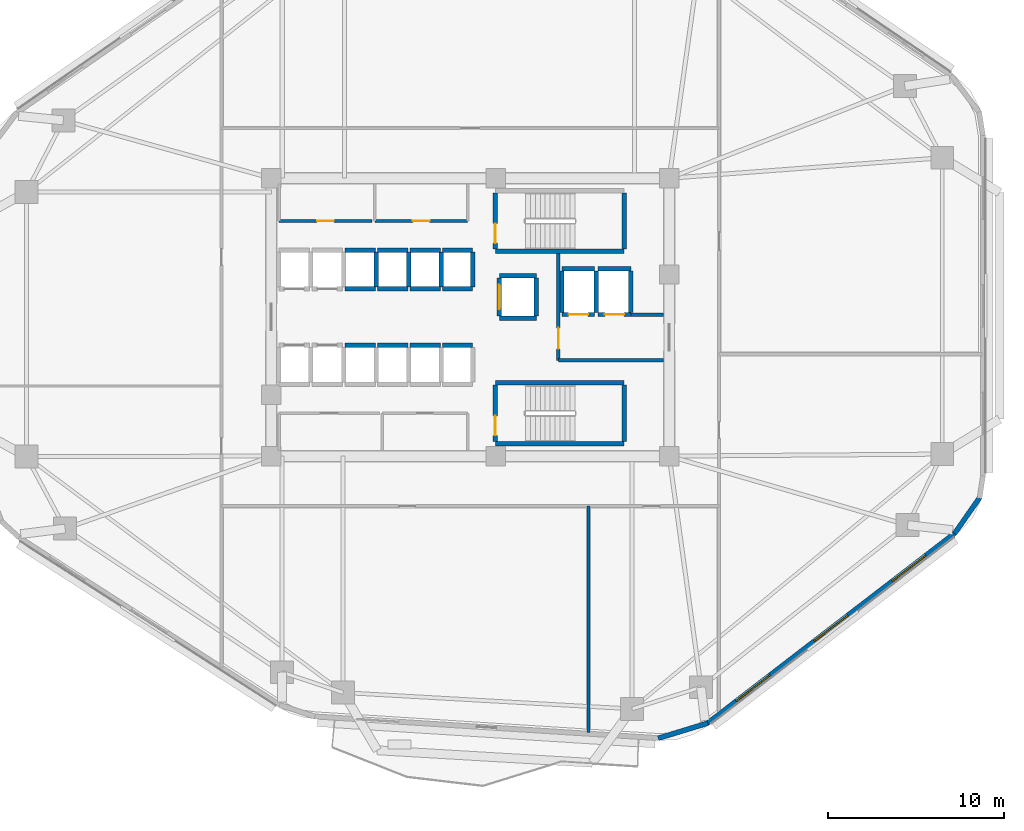
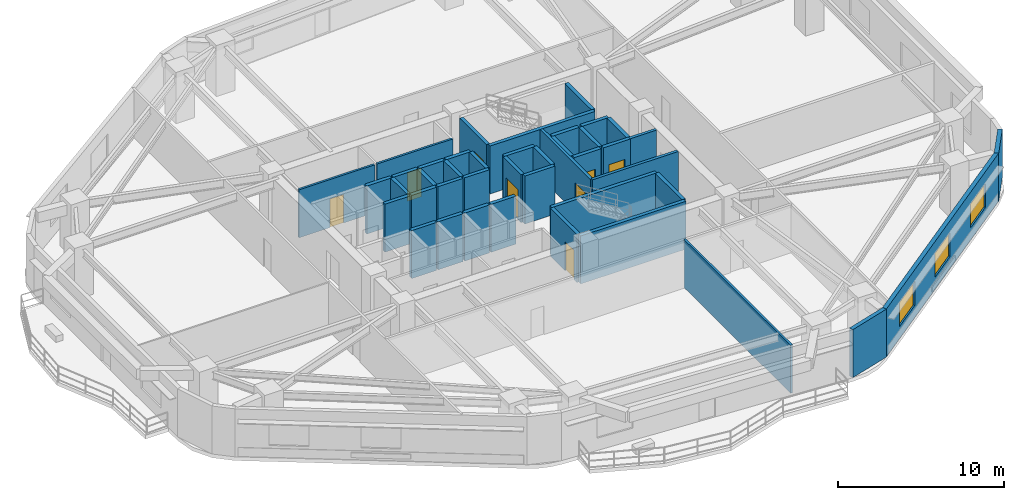
# One storey, part 4 of 9: 43 walls, 8 doors, 3 windows, 11 openings.
"""IFC4 building model written with IfcOpenShell, lengths in metres."""

from ifc_helpers import new_model, si_unit, direction, frame, frame_2d, origin, place, context, subcontext, project, spatial, rectangle, extrude, material, layer, layer_set, type_object, element, fill, save


model = new_model("IFC4")

# Units and contexts
model_context = context("Model", 3, precision=1e-05, world=origin(), true_north=direction((0.0, 1.0)))
body_context = subcontext(model_context, "Body", "Model", "MODEL_VIEW")
ifc_project = project(units=[si_unit("LENGTHUNIT", "METRE"), si_unit("AREAUNIT", "SQUARE_METRE"), si_unit("VOLUMEUNIT", "CUBIC_METRE"), si_unit("PLANEANGLEUNIT", "RADIAN"), si_unit("MASSUNIT", "GRAM", prefix="KILO")], contexts=[model_context])

# Site, building, storey
site_placement = place(None, origin())
site = spatial("IfcSite", under=ifc_project, at=site_placement, CompositionType="ELEMENT")
building_placement = place(site_placement, origin())
building = spatial("IfcBuilding", under=site, at=building_placement, Name="Zulverin Broadcast Headquarters", CompositionType="ELEMENT")
storey_placement = place(building_placement, frame((0.0, 0.0, 74.39990234375)))
storey = spatial("IfcBuildingStorey", under=building, at=storey_placement, Name="L18", CompositionType="ELEMENT", Elevation=74.39990234375)

# Wall, openings, windows
ifc_material_1 = material(Name="Insulated pale-metal clad concrete spandrel C40/50", Category="concrete")
ifc_layer_1 = layer(ifc_material_1, 0.280029296875, Name="Insulated pale-metal clad concrete spandrel C40/50", Category="concrete")
ifc_layer_set_1 = layer_set([ifc_layer_1], Name="Insulated pale-metal clad concrete spandrel C40/50")
wall_type_1 = type_object("IfcWallType", Name="WL-EXT-280", PredefinedType="STANDARD", material=ifc_layer_set_1)
wall_1_placement = place(storey_placement, frame((50.4287109375, 2.171630859375, 0.0), z_axis=(0.0, 0.0, 1.0), x_axis=(0.792937466367, 0.609303023488, 0.0)))
wall_1 = element("IfcWall", 1, at=wall_1_placement, inside=storey, type_object=wall_type_1, Name="L18 Pale-Metal Clad Spandrel Wall 2", PredefinedType="STANDARD", context=body_context, shape_type="SweptSolid", body=[
    extrude(rectangle(XDim=17.712890625, YDim=0.280029296875, at=frame_2d((8.8564453125, 0.0))), origin(), (0.0, 0.0, 1.0), 3.525146484375),
])
opening_1_placement = place(wall_1_placement, frame((2.08544921875, 0.0, 0.89990234375)))
opening_1 = element("IfcOpeningElement", 2, at=opening_1_placement, cuts=wall_1, Name="Opening W-L18-E21", PredefinedType="OPENING", context=body_context, shape_type="SweptSolid", body=[
    extrude(rectangle(XDim=2.39990234375, YDim=1.75, at=frame_2d((1.199951171875, 0.875))), frame((0.0, 0.14990234375, 0.0), z_axis=(0.0, -1.0, 0.0), x_axis=(1.0, 0.0, 0.0)), (0.0, 0.0, 1.0), 0.300048828125),
])
opening_2_placement = place(wall_1_placement, frame((7.656494140625, 0.0, 0.89990234375)))
opening_2 = element("IfcOpeningElement", 3, at=opening_2_placement, cuts=wall_1, Name="Opening W-L18-E22", PredefinedType="OPENING", context=body_context, shape_type="SweptSolid", body=[
    extrude(rectangle(XDim=2.39990234375, YDim=1.75, at=frame_2d((1.199951171875, 0.875))), frame((0.0, 0.14990234375, 0.0), z_axis=(0.0, -1.0, 0.0), x_axis=(1.0, 0.0, 0.0)), (0.0, 0.0, 1.0), 0.300048828125),
])
opening_3_placement = place(wall_1_placement, frame((13.227294921875, 0.0, 0.89990234375)))
opening_3 = element("IfcOpeningElement", 4, at=opening_3_placement, cuts=wall_1, Name="Opening W-L18-E23", PredefinedType="OPENING", context=body_context, shape_type="SweptSolid", body=[
    extrude(rectangle(XDim=2.39990234375, YDim=1.75, at=frame_2d((1.199951171875, 0.875))), frame((0.0, 0.14990234375, 0.0), z_axis=(0.0, -1.0, 0.0), x_axis=(1.0, 0.0, 0.0)), (0.0, 0.0, 1.0), 0.300048828125),
])
ifc_material_2 = material(Name="Pale anodized aluminium frame with solar-control low-E double glazing", Category="aluminium")
window_type = type_object("IfcWindowType", Name="WIN-RIB-2400", PartitioningType="SINGLE_PANEL", PredefinedType="WINDOW", material=ifc_material_2)
window_1_placement = place(opening_1_placement, origin())
window_1 = element("IfcWindow", 5, at=window_1_placement, inside=storey, type_object=window_type, Name="L18 Ribbon Glazing Window 2 1", OverallHeight=1.75, OverallWidth=2.39990234375, PartitioningType="SINGLE_PANEL", PredefinedType="WINDOW", context=body_context, shape_type="SweptSolid", body=[
    extrude(rectangle(XDim=2.39990234375, YDim=1.75, at=frame_2d((1.199951171875, 0.875))), frame((0.0, 0.030029296875, 0.0), z_axis=(0.0, -1.0, 0.0), x_axis=(1.0, 0.0, 0.0)), (0.0, 0.0, 1.0), 0.06005859375),
])
fill(opening_1, window_1)
window_2_placement = place(opening_2_placement, origin())
window_2 = element("IfcWindow", 6, at=window_2_placement, inside=storey, type_object=window_type, Name="L18 Ribbon Glazing Window 2 2", OverallHeight=1.75, OverallWidth=2.39990234375, PartitioningType="SINGLE_PANEL", PredefinedType="WINDOW", context=body_context, shape_type="SweptSolid", body=[
    extrude(rectangle(XDim=2.39990234375, YDim=1.75, at=frame_2d((1.199951171875, 0.875))), frame((0.0, 0.030029296875, 0.0), z_axis=(0.0, -1.0, 0.0), x_axis=(1.0, 0.0, 0.0)), (0.0, 0.0, 1.0), 0.06005859375),
])
fill(opening_2, window_2)
window_3_placement = place(opening_3_placement, origin())
window_3 = element("IfcWindow", 7, at=window_3_placement, inside=storey, type_object=window_type, Name="L18 Ribbon Glazing Window 2 3", OverallHeight=1.75, OverallWidth=2.39990234375, PartitioningType="SINGLE_PANEL", PredefinedType="WINDOW", context=body_context, shape_type="SweptSolid", body=[
    extrude(rectangle(XDim=2.39990234375, YDim=1.75, at=frame_2d((1.199951171875, 0.875))), frame((0.0, 0.030029296875, 0.0), z_axis=(0.0, -1.0, 0.0), x_axis=(1.0, 0.0, 0.0)), (0.0, 0.0, 1.0), 0.06005859375),
])
fill(opening_3, window_3)

# Walls
wall_2_placement = place(storey_placement, frame((47.649658203125, 1.3330078125, 0.0), z_axis=(0.0, 0.0, 1.0), x_axis=(0.956461287977, 0.291859220516, 0.0)))
element("IfcWall", 8, at=wall_2_placement, inside=storey, type_object=wall_type_1, Name="L18 Wind-Shaped Corner Spandrel Wall 1-1", PredefinedType="STANDARD", context=body_context, shape_type="SweptSolid", body=[
    extrude(rectangle(XDim=2.951904296875, YDim=0.280029296875, at=frame_2d((1.47607421875, 0.0))), origin(), (0.0, 0.0, 1.0), 3.525146484375),
])
wall_3_placement = place(storey_placement, frame((64.4443359375, 12.933349609375, 0.0), z_axis=(0.0, 0.0, 1.0), x_axis=(0.573176686443, 0.819431806875, 0.0)))
element("IfcWall", 9, at=wall_3_placement, inside=storey, type_object=wall_type_1, Name="L18 Wind-Shaped Corner Spandrel Wall 2-1", PredefinedType="STANDARD", context=body_context, shape_type="SweptSolid", body=[
    extrude(rectangle(XDim=2.524169921875, YDim=0.280029296875, at=frame_2d((1.26220703125, 0.0))), origin(), (0.0, 0.0, 1.0), 3.525146484375),
])

# Wall, opening, door
ifc_material_3 = material(Name="Concrete C40/50", Category="concrete")
ifc_layer_2 = layer(ifc_material_3, 0.199951171875, Name="Concrete C40/50", Category="concrete")
ifc_layer_set_2 = layer_set([ifc_layer_2], Name="Concrete C40/50")
wall_type_2 = type_object("IfcWallType", Name="WL-FFL-200", PredefinedType="SOLIDWALL", material=ifc_layer_set_2)
wall_4_placement = place(storey_placement, frame((42.0, 22.75, 0.0), z_axis=(0.0, 0.0, 1.0), x_axis=(0.0, 1.0, 0.0)))
wall_4 = element("IfcWall", 10, at=wall_4_placement, inside=storey, type_object=wall_type_2, Name="L18 Firefighting Lift Lobby West Wall", PredefinedType="SOLIDWALL", context=body_context, shape_type="SweptSolid", body=[
    extrude(rectangle(XDim=6.050048828125, YDim=0.199951171875, at=frame_2d((3.02490234375, 0.0))), origin(), (0.0, 0.0, 1.0), 3.525146484375),
])
opening_4_placement = place(wall_4_placement, frame((0.64990234375, 0.0, 0.0)))
opening_4 = element("IfcOpeningElement", 11, at=opening_4_placement, cuts=wall_4, Name="Opening D-L18-FFLW", PredefinedType="OPENING", context=body_context, shape_type="SweptSolid", body=[
    extrude(rectangle(XDim=1.199951171875, YDim=2.14990234375, at=frame_2d((0.60009765625, 1.074951171875))), frame((0.0, 0.10986328125, 0.0), z_axis=(0.0, -1.0, 0.0), x_axis=(1.0, 0.0, 0.0)), (0.0, 0.0, 1.0), 0.219970703125),
])
ifc_material_4 = material(Name="Fire-rated steel leaf and frame", Category="steel")
door_type_1 = type_object("IfcDoorType", Name="DR-FFL-1200", OperationType="SINGLE_SWING_RIGHT", PredefinedType="DOOR", material=ifc_material_4)
door_1_placement = place(opening_4_placement, origin())
door_1 = element("IfcDoor", 12, at=door_1_placement, inside=storey, type_object=door_type_1, Name="L18 Firefighting Lift Lobby Door", OperationType="SINGLE_SWING_RIGHT", OverallHeight=2.14990234375, OverallWidth=1.199951171875, PredefinedType="DOOR", context=body_context, shape_type="SweptSolid", body=[
    extrude(rectangle(XDim=1.199951171875, YDim=2.14990234375, at=frame_2d((0.60009765625, 1.074951171875))), frame((0.0, 0.02490234375, 0.0), z_axis=(0.0, -1.0, 0.0), x_axis=(1.0, 0.0, 0.0)), (0.0, 0.0, 1.0), 0.050048828125),
])
fill(opening_4, door_1)

# Walls
wall_5_placement = place(storey_placement, frame((42.0, 22.75, 0.0), z_axis=(0.0, 0.0, 1.0), x_axis=(1.0, 0.0, 0.0)))
element("IfcWall", 13, at=wall_5_placement, inside=storey, type_object=wall_type_2, Name="L18 Firefighting Lift Lobby South Wall", PredefinedType="SOLIDWALL", context=body_context, shape_type="SweptSolid", body=[
    extrude(rectangle(XDim=5.949951171875, YDim=0.199951171875, at=frame_2d((2.97509765625, 0.0))), origin(), (0.0, 0.0, 1.0), 3.525146484375),
])
wall_6_placement = place(storey_placement, frame((46.10009765625, 25.35009765625, 0.0), z_axis=(0.0, 0.0, 1.0), x_axis=(1.0, 0.0, 0.0)))
element("IfcWall", 14, at=wall_6_placement, inside=storey, type_object=wall_type_2, Name="L18 Firefighting Lift Lobby North Wall", PredefinedType="SOLIDWALL", context=body_context, shape_type="SweptSolid", body=[
    extrude(rectangle(XDim=1.849853515625, YDim=0.199951171875, at=frame_2d((0.9248046875, 0.0))), origin(), (0.0, 0.0, 1.0), 3.525146484375),
])

# Wall, opening, door
ifc_material_5 = material(Name="Fire-rated gypsum stud partition", Category="gypsum")
ifc_layer_3 = layer(ifc_material_5, 0.14990234375, Name="Fire-rated gypsum stud partition", Category="gypsum")
ifc_layer_set_3 = layer_set([ifc_layer_3], Name="Fire-rated gypsum stud partition")
wall_type_3 = type_object("IfcWallType", Name="WL-PART-150", PredefinedType="PARTITIONING", material=ifc_layer_set_3)
wall_7_placement = place(storey_placement, frame((26.169921875, 30.64990234375, 0.0), z_axis=(0.0, 0.0, 1.0), x_axis=(1.0, 0.0, 0.0)))
wall_7 = element("IfcWall", 15, at=wall_7_placement, inside=storey, type_object=wall_type_3, Name="L18 Core Male WC Front Wall", PredefinedType="PARTITIONING", context=body_context, shape_type="SweptSolid", body=[
    extrude(rectangle(XDim=5.260009765625, YDim=0.14990234375, at=frame_2d((2.6298828125, 0.0))), origin(), (0.0, 0.0, 1.0), 3.525146484375),
])
opening_5_placement = place(wall_7_placement, frame((2.155029296875, 0.0, 0.0)))
opening_5 = element("IfcOpeningElement", 16, at=opening_5_placement, cuts=wall_7, Name="Opening D-L18-NC1", PredefinedType="OPENING", context=body_context, shape_type="SweptSolid", body=[
    extrude(rectangle(XDim=0.949951171875, YDim=2.10009765625, at=frame_2d((0.47509765625, 1.050048828125))), frame((0.0, 0.0849609375, 0.0), z_axis=(0.0, -1.0, 0.0), x_axis=(1.0, 0.0, 0.0)), (0.0, 0.0, 1.0), 0.169921875),
])
ifc_material_6 = material(Name="Fire-rated moisture-resistant laminate leaf", Category="wood")
door_type_2 = type_object("IfcDoorType", Name="DR-WC-950", OperationType="SINGLE_SWING_LEFT", PredefinedType="DOOR", material=ifc_material_6)
door_2_placement = place(opening_5_placement, origin())
door_2 = element("IfcDoor", 17, at=door_2_placement, inside=storey, type_object=door_type_2, Name="L18 Male WC Door", OperationType="SINGLE_SWING_LEFT", OverallHeight=2.10009765625, OverallWidth=0.949951171875, PredefinedType="DOOR", context=body_context, shape_type="SweptSolid", body=[
    extrude(rectangle(XDim=0.949951171875, YDim=2.10009765625, at=frame_2d((0.47509765625, 1.050048828125))), frame((0.0, 0.02490234375, 0.0), z_axis=(0.0, -1.0, 0.0), x_axis=(1.0, 0.0, 0.0)), (0.0, 0.0, 1.0), 0.050048828125),
])
fill(opening_5, door_2)

wall_8_placement = place(storey_placement, frame((31.590087890625, 30.64990234375, 0.0), z_axis=(0.0, 0.0, 1.0), x_axis=(1.0, 0.0, 0.0)))
wall_8 = element("IfcWall", 18, at=wall_8_placement, inside=storey, type_object=wall_type_3, Name="L18 Core Accessible WC Front Wall", PredefinedType="PARTITIONING", context=body_context, shape_type="SweptSolid", body=[
    extrude(rectangle(XDim=5.260009765625, YDim=0.14990234375, at=frame_2d((2.6298828125, 0.0))), origin(), (0.0, 0.0, 1.0), 3.525146484375),
])
opening_6_placement = place(wall_8_placement, frame((2.155029296875, 0.0, 0.0)))
opening_6 = element("IfcOpeningElement", 19, at=opening_6_placement, cuts=wall_8, Name="Opening D-L18-NC2", PredefinedType="OPENING", context=body_context, shape_type="SweptSolid", body=[
    extrude(rectangle(XDim=0.949951171875, YDim=2.10009765625, at=frame_2d((0.47509765625, 1.050048828125))), frame((0.0, 0.0849609375, 0.0), z_axis=(0.0, -1.0, 0.0), x_axis=(1.0, 0.0, 0.0)), (0.0, 0.0, 1.0), 0.169921875),
])
door_3_placement = place(opening_6_placement, origin())
door_3 = element("IfcDoor", 20, at=door_3_placement, inside=storey, type_object=door_type_2, Name="L18 Accessible WC Door", OperationType="SINGLE_SWING_RIGHT", OverallHeight=2.10009765625, OverallWidth=0.949951171875, PredefinedType="DOOR", context=body_context, shape_type="SweptSolid", body=[
    extrude(rectangle(XDim=0.949951171875, YDim=2.10009765625, at=frame_2d((0.47509765625, 1.050048828125))), frame((0.0, 0.02490234375, 0.0), z_axis=(0.0, -1.0, 0.0), x_axis=(1.0, 0.0, 0.0)), (0.0, 0.0, 1.0), 0.050048828125),
])
fill(opening_6, door_3)

# Walls
wall_9_placement = place(storey_placement, frame((43.699951171875, 1.656005859375, 0.0), z_axis=(0.0, 0.0, 1.0), x_axis=(0.0, 1.0, 0.0)))
element("IfcWall", 21, at=wall_9_placement, inside=storey, type_object=wall_type_3, Name="L18 Room Partition Wall RP-02", PredefinedType="PARTITIONING", context=body_context, shape_type="SweptSolid", body=[
    extrude(rectangle(XDim=12.843994140625, YDim=0.14990234375, at=frame_2d((6.421875, 0.0))), origin(), (0.0, 0.0, 1.0), 3.525146484375),
])
ifc_material_7 = material(Name="Concrete C50/60", Category="concrete")
ifc_layer_4 = layer(ifc_material_7, 0.25, Name="Concrete C50/60", Category="concrete")
ifc_layer_set_4 = layer_set([ifc_layer_4], Name="Concrete C50/60")
wall_type_4 = type_object("IfcWallType", Name="WL-SHAFT-250", PredefinedType="SHEAR", material=ifc_layer_set_4)
wall_10_placement = place(storey_placement, frame((38.425048828125, 28.925048828125, 0.0), z_axis=(0.0, 0.0, 1.0), x_axis=(1.0, 0.0, 0.0)))
element("IfcWall", 22, at=wall_10_placement, inside=storey, type_object=wall_type_4, Name="L18 ST-1 Enclosure Wall S", PredefinedType="SHEAR", context=body_context, shape_type="SweptSolid", body=[
    extrude(rectangle(XDim=7.300048828125, YDim=0.25, at=frame_2d((3.64990234375, 0.0))), origin(), (0.0, 0.0, 1.0), 3.525146484375),
])

# Wall, opening, door
wall_11_placement = place(storey_placement, frame((38.425048828125, 29.050048828125, 0.0), z_axis=(0.0, 0.0, 1.0), x_axis=(0.0, 1.0, 0.0)))
wall_11 = element("IfcWall", 23, at=wall_11_placement, inside=storey, type_object=wall_type_4, Name="L18 ST-1 Enclosure Wall W", PredefinedType="SHEAR", context=body_context, shape_type="SweptSolid", body=[
    extrude(rectangle(XDim=3.199951171875, YDim=0.25, at=frame_2d((1.60009765625, 0.0))), origin(), (0.0, 0.0, 1.0), 3.525146484375),
])
opening_7_placement = place(wall_11_placement, frame((0.35009765625, 0.0, 0.0)))
opening_7 = element("IfcOpeningElement", 24, at=opening_7_placement, cuts=wall_11, Name="Opening D-L18-ST-1", PredefinedType="OPENING", context=body_context, shape_type="SweptSolid", body=[
    extrude(rectangle(XDim=1.10009765625, YDim=2.14990234375, at=frame_2d((0.550048828125, 1.074951171875))), frame((0.0, 0.135009765625, 0.0), z_axis=(0.0, -1.0, 0.0), x_axis=(1.0, 0.0, 0.0)), (0.0, 0.0, 1.0), 0.27001953125),
])
door_type_3 = type_object("IfcDoorType", Name="DR-STAIR-1100", OperationType="SINGLE_SWING_LEFT", PredefinedType="DOOR", material=ifc_material_4)
door_4_placement = place(opening_7_placement, origin())
door_4 = element("IfcDoor", 25, at=door_4_placement, inside=storey, type_object=door_type_3, Name="L18 Exit Stair ST-1 Fire Door", OperationType="SINGLE_SWING_LEFT", OverallHeight=2.14990234375, OverallWidth=1.10009765625, PredefinedType="DOOR", context=body_context, shape_type="SweptSolid", body=[
    extrude(rectangle(XDim=1.10009765625, YDim=2.14990234375, at=frame_2d((0.550048828125, 1.074951171875))), frame((0.0, 0.02490234375, 0.0), z_axis=(0.0, -1.0, 0.0), x_axis=(1.0, 0.0, 0.0)), (0.0, 0.0, 1.0), 0.050048828125),
])
fill(opening_7, door_4)

# Walls
wall_12_placement = place(storey_placement, frame((45.72509765625, 29.050048828125, 0.0), z_axis=(0.0, 0.0, 1.0), x_axis=(0.0, 1.0, 0.0)))
element("IfcWall", 26, at=wall_12_placement, inside=storey, type_object=wall_type_4, Name="L18 ST-1 Enclosure Wall E", PredefinedType="SHEAR", context=body_context, shape_type="SweptSolid", body=[
    extrude(rectangle(XDim=3.199951171875, YDim=0.25, at=frame_2d((1.60009765625, 0.0))), origin(), (0.0, 0.0, 1.0), 3.525146484375),
])
for number, where, z_axis, x_axis, name in (
    (27, (38.425048828125, 18.02490234375, 0.0), (0.0, 0.0, 1.0), (1.0, 0.0, 0.0), "L18 ST-2 Enclosure Wall S"),
    (28, (38.425048828125, 21.47509765625, 0.0), (0.0, 0.0, 1.0), (1.0, 0.0, 0.0), "L18 ST-2 Enclosure Wall N"),
):
    element("IfcWall", number, at=place(storey_placement, frame(where, z_axis=z_axis, x_axis=x_axis)), inside=storey, type_object=wall_type_4, Name=name, PredefinedType="SHEAR", context=body_context, shape_type="SweptSolid", body=[
        extrude(rectangle(XDim=7.300048828125, YDim=0.25, at=frame_2d((3.64990234375, 0.0))), origin(), (0.0, 0.0, 1.0), 3.525146484375),
    ])

# Wall, opening, door
wall_13_placement = place(storey_placement, frame((38.425048828125, 18.14990234375, 0.0), z_axis=(0.0, 0.0, 1.0), x_axis=(0.0, 1.0, 0.0)))
wall_13 = element("IfcWall", 29, at=wall_13_placement, inside=storey, type_object=wall_type_4, Name="L18 ST-2 Enclosure Wall W", PredefinedType="SHEAR", context=body_context, shape_type="SweptSolid", body=[
    extrude(rectangle(XDim=3.2001953125, YDim=0.25, at=frame_2d((1.60009765625, 0.0))), origin(), (0.0, 0.0, 1.0), 3.525146484375),
])
opening_8_placement = place(wall_13_placement, frame((0.35009765625, 0.0, 0.0)))
opening_8 = element("IfcOpeningElement", 30, at=opening_8_placement, cuts=wall_13, Name="Opening D-L18-ST-2", PredefinedType="OPENING", context=body_context, shape_type="SweptSolid", body=[
    extrude(rectangle(XDim=1.10009765625, YDim=2.14990234375, at=frame_2d((0.550048828125, 1.074951171875))), frame((0.0, 0.135009765625, 0.0), z_axis=(0.0, -1.0, 0.0), x_axis=(1.0, 0.0, 0.0)), (0.0, 0.0, 1.0), 0.27001953125),
])
door_5_placement = place(opening_8_placement, origin())
door_5 = element("IfcDoor", 31, at=door_5_placement, inside=storey, type_object=door_type_3, Name="L18 Exit Stair ST-2 Fire Door", OperationType="SINGLE_SWING_RIGHT", OverallHeight=2.14990234375, OverallWidth=1.10009765625, PredefinedType="DOOR", context=body_context, shape_type="SweptSolid", body=[
    extrude(rectangle(XDim=1.10009765625, YDim=2.14990234375, at=frame_2d((0.550048828125, 1.074951171875))), frame((0.0, 0.02490234375, 0.0), z_axis=(0.0, -1.0, 0.0), x_axis=(1.0, 0.0, 0.0)), (0.0, 0.0, 1.0), 0.050048828125),
])
fill(opening_8, door_5)

# Walls
wall_14_placement = place(storey_placement, frame((45.72509765625, 18.14990234375, 0.0), z_axis=(0.0, 0.0, 1.0), x_axis=(0.0, 1.0, 0.0)))
element("IfcWall", 32, at=wall_14_placement, inside=storey, type_object=wall_type_4, Name="L18 ST-2 Enclosure Wall E", PredefinedType="SHEAR", context=body_context, shape_type="SweptSolid", body=[
    extrude(rectangle(XDim=3.2001953125, YDim=0.25, at=frame_2d((1.60009765625, 0.0))), origin(), (0.0, 0.0, 1.0), 3.525146484375),
])
wall_15_placement = place(storey_placement, frame((29.89990234375, 23.60009765625, 0.0), z_axis=(0.0, 0.0, 1.0), x_axis=(1.0, 0.0, 0.0)))
element("IfcWall", 33, at=wall_15_placement, inside=storey, type_object=wall_type_4, Name="L18 Lift PL-M1 Shaft Wall N", PredefinedType="SHEAR", context=body_context, shape_type="SweptSolid", body=[
    extrude(rectangle(XDim=1.72021484375, YDim=0.25, at=frame_2d((0.860107421875, 0.0))), origin(), (0.0, 0.0, 1.0), 3.525146484375),
])
for number, where, z_axis, x_axis, name in (
    (34, (31.739990234375, 23.60009765625, 0.0), (0.0, 0.0, 1.0), (1.0, 0.0, 0.0), "L18 Lift PL-M2 Shaft Wall N"),
    (35, (33.580078125, 23.60009765625, 0.0), (0.0, 0.0, 1.0), (1.0, 0.0, 0.0), "L18 Lift PL-M3 Shaft Wall N"),
    (36, (35.419921875, 23.60009765625, 0.0), (0.0, 0.0, 1.0), (1.0, 0.0, 0.0), "L18 Lift PL-M4 Shaft Wall N"),
):
    element("IfcWall", number, at=place(storey_placement, frame(where, z_axis=z_axis, x_axis=x_axis)), inside=storey, type_object=wall_type_4, Name=name, PredefinedType="SHEAR", context=body_context, shape_type="SweptSolid", body=[
        extrude(rectangle(XDim=1.719970703125, YDim=0.25, at=frame_2d((0.85986328125, 0.0))), origin(), (0.0, 0.0, 1.0), 3.525146484375),
    ])
for number, where, z_axis, x_axis, name in (
    (37, (29.89990234375, 26.800048828125, 0.0), (0.0, 0.0, 1.0), (1.0, 0.0, 0.0), "L18 Lift PL-H1 Shaft Wall S"),
    (38, (29.89990234375, 29.0, 0.0), (0.0, 0.0, 1.0), (1.0, 0.0, 0.0), "L18 Lift PL-H1 Shaft Wall N"),
):
    element("IfcWall", number, at=place(storey_placement, frame(where, z_axis=z_axis, x_axis=x_axis)), inside=storey, type_object=wall_type_4, Name=name, PredefinedType="SHEAR", context=body_context, shape_type="SweptSolid", body=[
        extrude(rectangle(XDim=1.72021484375, YDim=0.25, at=frame_2d((0.860107421875, 0.0))), origin(), (0.0, 0.0, 1.0), 3.525146484375),
    ])
wall_16_placement = place(storey_placement, frame((31.679931640625, 26.919921875, 0.0), z_axis=(0.0, 0.0, 1.0), x_axis=(0.0, 1.0, 0.0)))
element("IfcWall", 39, at=wall_16_placement, inside=storey, type_object=wall_type_4, Name="L18 Lift PL-H1 Shaft Wall E", PredefinedType="SHEAR", context=body_context, shape_type="SweptSolid", body=[
    extrude(rectangle(XDim=1.9599609375, YDim=0.25, at=frame_2d((0.97998046875, 0.0))), origin(), (0.0, 0.0, 1.0), 3.525146484375),
])
for number, where, z_axis, x_axis, name in (
    (40, (31.739990234375, 26.800048828125, 0.0), (0.0, 0.0, 1.0), (1.0, 0.0, 0.0), "L18 Lift PL-H2 Shaft Wall S"),
    (41, (31.739990234375, 29.0, 0.0), (0.0, 0.0, 1.0), (1.0, 0.0, 0.0), "L18 Lift PL-H2 Shaft Wall N"),
):
    element("IfcWall", number, at=place(storey_placement, frame(where, z_axis=z_axis, x_axis=x_axis)), inside=storey, type_object=wall_type_4, Name=name, PredefinedType="SHEAR", context=body_context, shape_type="SweptSolid", body=[
        extrude(rectangle(XDim=1.719970703125, YDim=0.25, at=frame_2d((0.85986328125, 0.0))), origin(), (0.0, 0.0, 1.0), 3.525146484375),
    ])
wall_17_placement = place(storey_placement, frame((33.52001953125, 26.919921875, 0.0), z_axis=(0.0, 0.0, 1.0), x_axis=(0.0, 1.0, 0.0)))
element("IfcWall", 42, at=wall_17_placement, inside=storey, type_object=wall_type_4, Name="L18 Lift PL-H2 Shaft Wall E", PredefinedType="SHEAR", context=body_context, shape_type="SweptSolid", body=[
    extrude(rectangle(XDim=1.9599609375, YDim=0.25, at=frame_2d((0.97998046875, 0.0))), origin(), (0.0, 0.0, 1.0), 3.525146484375),
])
for number, where, z_axis, x_axis, name in (
    (43, (33.580078125, 26.800048828125, 0.0), (0.0, 0.0, 1.0), (1.0, 0.0, 0.0), "L18 Lift PL-H3 Shaft Wall S"),
    (44, (33.580078125, 29.0, 0.0), (0.0, 0.0, 1.0), (1.0, 0.0, 0.0), "L18 Lift PL-H3 Shaft Wall N"),
):
    element("IfcWall", number, at=place(storey_placement, frame(where, z_axis=z_axis, x_axis=x_axis)), inside=storey, type_object=wall_type_4, Name=name, PredefinedType="SHEAR", context=body_context, shape_type="SweptSolid", body=[
        extrude(rectangle(XDim=1.719970703125, YDim=0.25, at=frame_2d((0.85986328125, 0.0))), origin(), (0.0, 0.0, 1.0), 3.525146484375),
    ])
wall_18_placement = place(storey_placement, frame((35.360107421875, 26.919921875, 0.0), z_axis=(0.0, 0.0, 1.0), x_axis=(0.0, 1.0, 0.0)))
element("IfcWall", 45, at=wall_18_placement, inside=storey, type_object=wall_type_4, Name="L18 Lift PL-H3 Shaft Wall E", PredefinedType="SHEAR", context=body_context, shape_type="SweptSolid", body=[
    extrude(rectangle(XDim=1.9599609375, YDim=0.25, at=frame_2d((0.97998046875, 0.0))), origin(), (0.0, 0.0, 1.0), 3.525146484375),
])
for number, where, z_axis, x_axis, name in (
    (46, (35.419921875, 26.800048828125, 0.0), (0.0, 0.0, 1.0), (1.0, 0.0, 0.0), "L18 Lift PL-H4 Shaft Wall S"),
    (47, (35.419921875, 29.0, 0.0), (0.0, 0.0, 1.0), (1.0, 0.0, 0.0), "L18 Lift PL-H4 Shaft Wall N"),
):
    element("IfcWall", number, at=place(storey_placement, frame(where, z_axis=z_axis, x_axis=x_axis)), inside=storey, type_object=wall_type_4, Name=name, PredefinedType="SHEAR", context=body_context, shape_type="SweptSolid", body=[
        extrude(rectangle(XDim=1.719970703125, YDim=0.25, at=frame_2d((0.85986328125, 0.0))), origin(), (0.0, 0.0, 1.0), 3.525146484375),
    ])
wall_19_placement = place(storey_placement, frame((37.139892578125, 26.919921875, 0.0), z_axis=(0.0, 0.0, 1.0), x_axis=(0.0, 1.0, 0.0)))
element("IfcWall", 48, at=wall_19_placement, inside=storey, type_object=wall_type_4, Name="L18 Lift PL-H4 Shaft Wall E", PredefinedType="SHEAR", context=body_context, shape_type="SweptSolid", body=[
    extrude(rectangle(XDim=1.9599609375, YDim=0.25, at=frame_2d((0.97998046875, 0.0))), origin(), (0.0, 0.0, 1.0), 3.525146484375),
])

# Wall, opening, door
wall_20_placement = place(storey_placement, frame((42.199951171875, 25.35009765625, 0.0), z_axis=(0.0, 0.0, 1.0), x_axis=(1.0, 0.0, 0.0)))
wall_20 = element("IfcWall", 49, at=wall_20_placement, inside=storey, type_object=wall_type_4, Name="L18 Lift FFL-1 Shaft Wall S", PredefinedType="SHEAR", context=body_context, shape_type="SweptSolid", body=[
    extrude(rectangle(XDim=1.85009765625, YDim=0.25, at=frame_2d((0.925048828125, 0.0))), origin(), (0.0, 0.0, 1.0), 3.525146484375),
])
opening_9_placement = place(wall_20_placement, frame((0.375, 0.0, 0.0)))
opening_9 = element("IfcOpeningElement", 50, at=opening_9_placement, cuts=wall_20, Name="Opening LD-FFL-1-L18", PredefinedType="OPENING", context=body_context, shape_type="SweptSolid", body=[
    extrude(rectangle(XDim=1.10009765625, YDim=2.14990234375, at=frame_2d((0.550048828125, 1.074951171875))), frame((0.0, 0.135009765625, 0.0), z_axis=(0.0, -1.0, 0.0), x_axis=(1.0, 0.0, 0.0)), (0.0, 0.0, 1.0), 0.27001953125),
])
ifc_material_8 = material(Name="Fire-rated stainless landing door", Category="steel")
door_type_4 = type_object("IfcDoorType", Name="LD-FFL-1100", OperationType="DOUBLE_DOOR_SLIDING", PredefinedType="DOOR", material=ifc_material_8)
door_6_placement = place(opening_9_placement, origin())
door_6 = element("IfcDoor", 51, at=door_6_placement, inside=storey, type_object=door_type_4, Name="L18 Lift FFL-1 Sliding Landing Door", OperationType="DOUBLE_DOOR_SLIDING", OverallHeight=2.14990234375, OverallWidth=1.10009765625, PredefinedType="DOOR", context=body_context, shape_type="SweptSolid", body=[
    extrude(rectangle(XDim=1.10009765625, YDim=2.14990234375, at=frame_2d((0.550048828125, 1.074951171875))), frame((0.0, 0.02490234375, 0.0), z_axis=(0.0, -1.0, 0.0), x_axis=(1.0, 0.0, 0.0)), (0.0, 0.0, 1.0), 0.050048828125),
])
fill(opening_9, door_6)

# Walls
wall_21_placement = place(storey_placement, frame((42.199951171875, 27.949951171875, 0.0), z_axis=(0.0, 0.0, 1.0), x_axis=(1.0, 0.0, 0.0)))
element("IfcWall", 52, at=wall_21_placement, inside=storey, type_object=wall_type_4, Name="L18 Lift FFL-1 Shaft Wall N", PredefinedType="SHEAR", context=body_context, shape_type="SweptSolid", body=[
    extrude(rectangle(XDim=1.85009765625, YDim=0.25, at=frame_2d((0.925048828125, 0.0))), origin(), (0.0, 0.0, 1.0), 3.525146484375),
])
for number, where, z_axis, x_axis, name in (
    (53, (42.199951171875, 25.469970703125, 0.0), (0.0, 0.0, 1.0), (0.0, 1.0, 0.0), "L18 Lift FFL-1 Shaft Wall W"),
    (54, (44.14990234375, 25.469970703125, 0.0), (0.0, 0.0, 1.0), (0.0, 1.0, 0.0), "L18 Lift FFL-1 Shaft Wall E"),
):
    element("IfcWall", number, at=place(storey_placement, frame(where, z_axis=z_axis, x_axis=x_axis)), inside=storey, type_object=wall_type_4, Name=name, PredefinedType="SHEAR", context=body_context, shape_type="SweptSolid", body=[
        extrude(rectangle(XDim=2.360107421875, YDim=0.25, at=frame_2d((1.18017578125, 0.0))), origin(), (0.0, 0.0, 1.0), 3.525146484375),
    ])

# Wall, opening, door
wall_22_placement = place(storey_placement, frame((44.25, 25.35009765625, 0.0), z_axis=(0.0, 0.0, 1.0), x_axis=(1.0, 0.0, 0.0)))
wall_22 = element("IfcWall", 55, at=wall_22_placement, inside=storey, type_object=wall_type_4, Name="L18 Lift FFL-2 Shaft Wall S", PredefinedType="SHEAR", context=body_context, shape_type="SweptSolid", body=[
    extrude(rectangle(XDim=1.85009765625, YDim=0.25, at=frame_2d((0.925048828125, 0.0))), origin(), (0.0, 0.0, 1.0), 3.525146484375),
])
opening_10_placement = place(wall_22_placement, frame((0.375, 0.0, 0.0)))
opening_10 = element("IfcOpeningElement", 56, at=opening_10_placement, cuts=wall_22, Name="Opening LD-FFL-2-L18", PredefinedType="OPENING", context=body_context, shape_type="SweptSolid", body=[
    extrude(rectangle(XDim=1.10009765625, YDim=2.14990234375, at=frame_2d((0.550048828125, 1.074951171875))), frame((0.0, 0.135009765625, 0.0), z_axis=(0.0, -1.0, 0.0), x_axis=(1.0, 0.0, 0.0)), (0.0, 0.0, 1.0), 0.27001953125),
])
door_7_placement = place(opening_10_placement, origin())
door_7 = element("IfcDoor", 57, at=door_7_placement, inside=storey, type_object=door_type_4, Name="L18 Lift FFL-2 Sliding Landing Door", OperationType="DOUBLE_DOOR_SLIDING", OverallHeight=2.14990234375, OverallWidth=1.10009765625, PredefinedType="DOOR", context=body_context, shape_type="SweptSolid", body=[
    extrude(rectangle(XDim=1.10009765625, YDim=2.14990234375, at=frame_2d((0.550048828125, 1.074951171875))), frame((0.0, 0.02490234375, 0.0), z_axis=(0.0, -1.0, 0.0), x_axis=(1.0, 0.0, 0.0)), (0.0, 0.0, 1.0), 0.050048828125),
])
fill(opening_10, door_7)

# Walls
wall_23_placement = place(storey_placement, frame((44.25, 27.949951171875, 0.0), z_axis=(0.0, 0.0, 1.0), x_axis=(1.0, 0.0, 0.0)))
element("IfcWall", 58, at=wall_23_placement, inside=storey, type_object=wall_type_4, Name="L18 Lift FFL-2 Shaft Wall N", PredefinedType="SHEAR", context=body_context, shape_type="SweptSolid", body=[
    extrude(rectangle(XDim=1.85009765625, YDim=0.25, at=frame_2d((0.925048828125, 0.0))), origin(), (0.0, 0.0, 1.0), 3.525146484375),
])
wall_24_placement = place(storey_placement, frame((46.10009765625, 25.469970703125, 0.0), z_axis=(0.0, 0.0, 1.0), x_axis=(0.0, 1.0, 0.0)))
element("IfcWall", 59, at=wall_24_placement, inside=storey, type_object=wall_type_4, Name="L18 Lift FFL-2 Shaft Wall E", PredefinedType="SHEAR", context=body_context, shape_type="SweptSolid", body=[
    extrude(rectangle(XDim=2.360107421875, YDim=0.25, at=frame_2d((1.18017578125, 0.0))), origin(), (0.0, 0.0, 1.0), 3.525146484375),
])
for number, where, z_axis, x_axis, name in (
    (60, (38.64990234375, 25.14990234375, 0.0), (0.0, 0.0, 1.0), (1.0, 0.0, 0.0), "L18 Lift SVL-1 Shaft Wall S"),
    (61, (38.64990234375, 27.550048828125, 0.0), (0.0, 0.0, 1.0), (1.0, 0.0, 0.0), "L18 Lift SVL-1 Shaft Wall N"),
):
    element("IfcWall", number, at=place(storey_placement, frame(where, z_axis=z_axis, x_axis=x_axis)), inside=storey, type_object=wall_type_4, Name=name, PredefinedType="SHEAR", context=body_context, shape_type="SweptSolid", body=[
        extrude(rectangle(XDim=2.10009765625, YDim=0.25, at=frame_2d((1.050048828125, 0.0))), origin(), (0.0, 0.0, 1.0), 3.525146484375),
    ])

# Wall, opening, door
wall_25_placement = place(storey_placement, frame((38.64990234375, 25.27001953125, 0.0), z_axis=(0.0, 0.0, 1.0), x_axis=(0.0, 1.0, 0.0)))
wall_25 = element("IfcWall", 62, at=wall_25_placement, inside=storey, type_object=wall_type_4, Name="L18 Lift SVL-1 Shaft Wall W", PredefinedType="SHEAR", context=body_context, shape_type="SweptSolid", body=[
    extrude(rectangle(XDim=2.159912109375, YDim=0.25, at=frame_2d((1.080078125, 0.0))), origin(), (0.0, 0.0, 1.0), 3.525146484375),
])
opening_11_placement = place(wall_25_placement, frame((0.3798828125, 0.0, 0.0)))
opening_11 = element("IfcOpeningElement", 63, at=opening_11_placement, cuts=wall_25, Name="Opening LD-SVL-1-L18", PredefinedType="OPENING", context=body_context, shape_type="SweptSolid", body=[
    extrude(rectangle(XDim=1.39990234375, YDim=2.199951171875, at=frame_2d((0.699951171875, 1.10009765625))), frame((0.0, 0.135009765625, 0.0), z_axis=(0.0, -1.0, 0.0), x_axis=(1.0, 0.0, 0.0)), (0.0, 0.0, 1.0), 0.27001953125),
])
ifc_material_9 = material(Name="Heavy-duty stainless landing door", Category="steel")
door_type_5 = type_object("IfcDoorType", Name="LD-GOODS-1400", OperationType="DOUBLE_DOOR_SLIDING", PredefinedType="DOOR", material=ifc_material_9)
door_8_placement = place(opening_11_placement, origin())
door_8 = element("IfcDoor", 64, at=door_8_placement, inside=storey, type_object=door_type_5, Name="L18 Lift SVL-1 Sliding Landing Door", OperationType="DOUBLE_DOOR_SLIDING", OverallHeight=2.199951171875, OverallWidth=1.39990234375, PredefinedType="DOOR", context=body_context, shape_type="SweptSolid", body=[
    extrude(rectangle(XDim=1.39990234375, YDim=2.199951171875, at=frame_2d((0.699951171875, 1.10009765625))), frame((0.0, 0.02490234375, 0.0), z_axis=(0.0, -1.0, 0.0), x_axis=(1.0, 0.0, 0.0)), (0.0, 0.0, 1.0), 0.050048828125),
])
fill(opening_11, door_8)

# Wall
wall_26_placement = place(storey_placement, frame((40.75, 25.27001953125, 0.0), z_axis=(0.0, 0.0, 1.0), x_axis=(0.0, 1.0, 0.0)))
element("IfcWall", 65, at=wall_26_placement, inside=storey, type_object=wall_type_4, Name="L18 Lift SVL-1 Shaft Wall E", PredefinedType="SHEAR", context=body_context, shape_type="SweptSolid", body=[
    extrude(rectangle(XDim=2.159912109375, YDim=0.25, at=frame_2d((1.080078125, 0.0))), origin(), (0.0, 0.0, 1.0), 3.525146484375),
])

save(model, "model.ifc")
